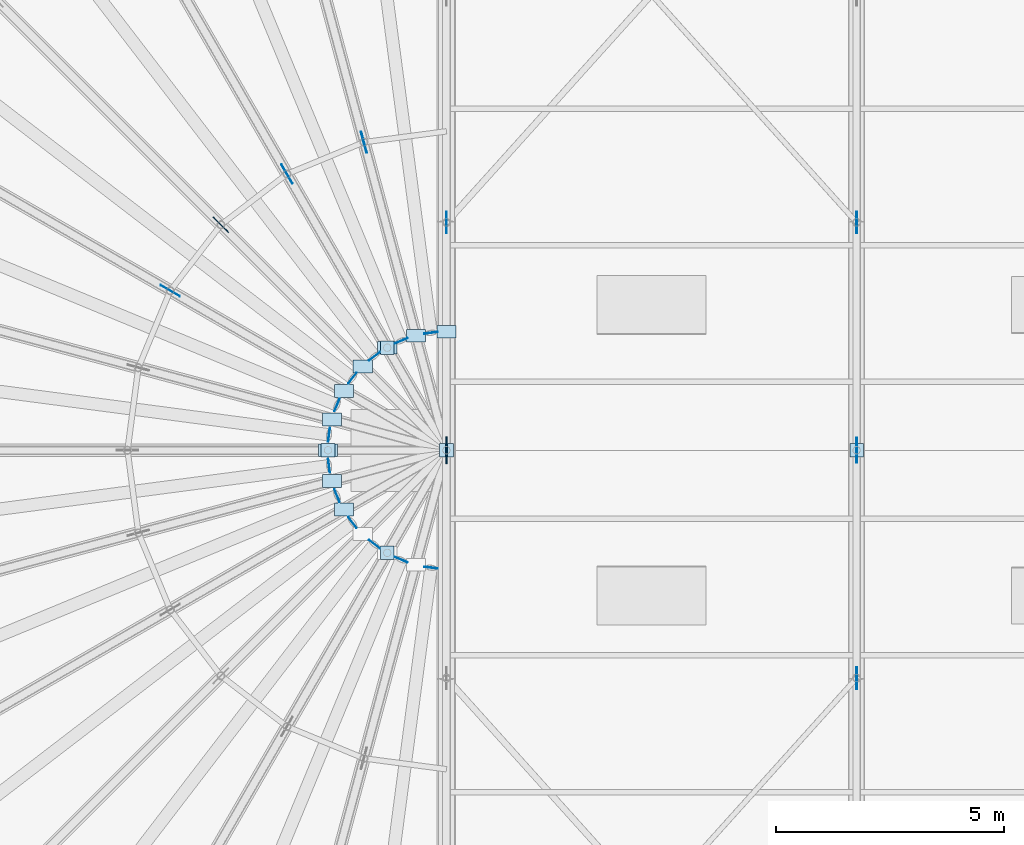
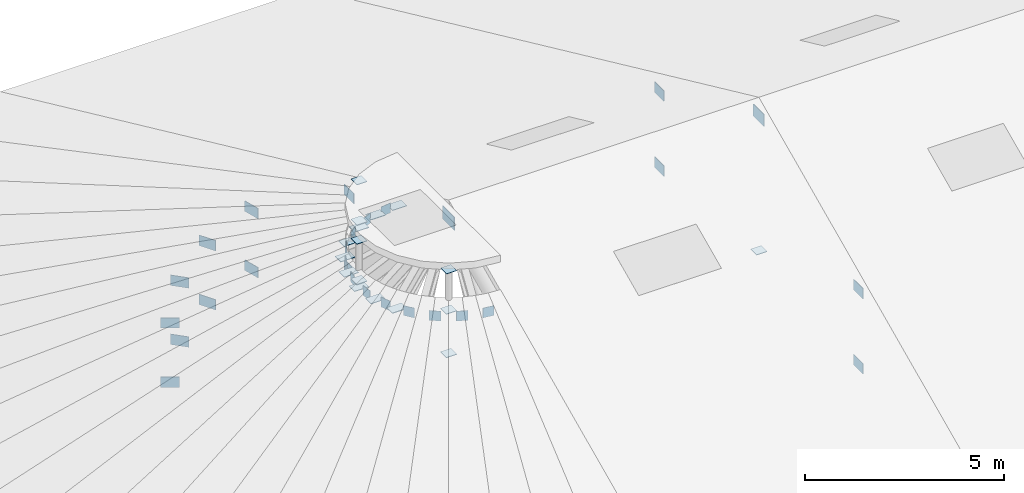
# One storey, part 88 of 107: 45 plates.
"""IFC4 building model written with IfcOpenShell, lengths in metres."""

from ifc_helpers import new_model, si_unit, derived_unit, direction, frame, origin, origin_2d, place, context, subcontext, project, spatial, rectangle, extrude, material, layer, layer_set, type_object, element, save


model = new_model("IFC4")

# Units and contexts
model_context = context("Model", 3, precision=1e-05, world=origin(), true_north=direction((0.0, 1.0)))
body_context = subcontext(model_context, "Body", "Model", "MODEL_VIEW")
ifc_project = project(units=[si_unit("LENGTHUNIT", "METRE"), si_unit("AREAUNIT", "SQUARE_METRE"), si_unit("VOLUMEUNIT", "CUBIC_METRE"), si_unit("PLANEANGLEUNIT", "RADIAN"), si_unit("MASSUNIT", "GRAM", prefix="KILO"), si_unit("THERMODYNAMICTEMPERATUREUNIT", "KELVIN"), si_unit("TIMEUNIT", "SECOND"), derived_unit("THERMALTRANSMITTANCEUNIT", [(si_unit("MASSUNIT", "GRAM", prefix="KILO"), 1), (si_unit("THERMODYNAMICTEMPERATUREUNIT", "KELVIN"), -1), (si_unit("TIMEUNIT", "SECOND"), -3)])], contexts=[model_context])

# Site, building, storey
site_placement = place(None, origin())
site = spatial("IfcSite", under=ifc_project, at=site_placement, CompositionType="ELEMENT")
building_placement = place(site_placement, origin())
building = spatial("IfcBuilding", under=site, at=building_placement, Name="Cambertide Market Hall", CompositionType="ELEMENT")
storey_placement = place(building_placement, frame((0.0, 0.0, 18.300048828125)))
storey = spatial("IfcBuildingStorey", under=building, at=storey_placement, Name="RF", CompositionType="ELEMENT", Elevation=18.300048828125)

# Plates
ifc_material_1 = material(Name="Steel S355", Category="steel")
ifc_layer_1 = layer(ifc_material_1, 0.013916015625, Name="Steel End Cap Plate EC-02")
ifc_layer_set_1 = layer_set([ifc_layer_1], Name="Steel S355")
plate_type_1 = type_object("IfcPlateType", Name="Steel End Cap Plate EC-02", PredefinedType="USERDEFINED", material=ifc_layer_set_1)
for number, where, z_axis, x_axis, name in (
    (1, (41.66064453125, 74.57763671875, -1.6962890625), (0.0, 0.0, 1.0), (-0.13052619222, 0.991444861374, 0.0), "Crown Rafter End Cap Plate W-01"),
    (2, (41.005126953125, 74.402099609375, -1.6962890625), (0.0, 0.0, 1.0), (-0.382683432365, 0.923879532511, 0.0), "Crown Rafter End Cap Plate W-03"),
    (3, (40.417236328125, 74.062744140625, -1.6962890625), (0.0, 0.0, 1.0), (-0.608761429009, 0.793353340291, 0.0), "Crown Rafter End Cap Plate W-05"),
    (4, (39.937255859375, 73.582763671875, -1.6962890625), (0.0, 0.0, 1.0), (-0.793353340291, 0.608761429009, 0.0), "Crown Rafter End Cap Plate W-07"),
    (5, (39.597900390625, 72.994873046875, -1.6962890625), (0.0, 0.0, 1.0), (-0.923879532511, 0.382683432365, 0.0), "Crown Rafter End Cap Plate W-09"),
    (6, (39.42236328125, 72.33935546875, -1.6962890625), (0.0, 0.0, 1.0), (-0.991444861374, 0.13052619222, 0.0), "Crown Rafter End Cap Plate W-11"),
    (7, (39.42236328125, 71.66064453125, -1.6962890625), (0.0, 0.0, 1.0), (-0.991444861374, -0.13052619222, 0.0), "Crown Rafter End Cap Plate W-13"),
    (8, (39.597900390625, 71.005126953125, -1.6962890625), (0.0, 0.0, 1.0), (-0.923879532511, -0.382683432365, 0.0), "Crown Rafter End Cap Plate W-15"),
    (9, (39.937255859375, 70.417236328125, -1.6962890625), (0.0, 0.0, 1.0), (-0.793353340291, -0.608761429009, 0.0), "Crown Rafter End Cap Plate W-17"),
    (10, (40.417236328125, 69.937255859375, -1.6962890625), (0.0, 0.0, 1.0), (-0.608761429009, -0.793353340291, 0.0), "Crown Rafter End Cap Plate W-19"),
    (11, (41.005126953125, 69.597900390625, -1.6962890625), (0.0, 0.0, 1.0), (-0.382683432365, -0.923879532511, 0.0), "Crown Rafter End Cap Plate W-21"),
    (12, (41.66064453125, 69.42236328125, -1.6962890625), (0.0, 0.0, 1.0), (-0.13052619222, -0.991444861374, 0.0), "Crown Rafter End Cap Plate W-23"),
):
    element("IfcPlate", number, at=place(storey_placement, frame(where, z_axis=z_axis, x_axis=x_axis)), inside=storey, type_object=plate_type_1, Name=name, ObjectType="END CAP PLATE", PredefinedType="USERDEFINED", context=body_context, shape_type="SweptSolid", body=[
        extrude(rectangle(XDim=0.013916015625, YDim=0.300048828125, at=origin_2d()), origin(), (0.0, 0.0, 1.0), 0.300048828125),
    ])
for number, where, z_axis, x_axis, name in (
    (13, (42.0, 72.0, -4.5068359375), (0.0, 0.0, 1.0), (1.0, 0.0, 0.0), "High-Bay Brace Connection End Cap Plate EC-BRN-010"),
    (14, (51.0, 72.0, -4.5068359375), (0.0, 0.0, 1.0), (1.0, 0.0, 0.0), "High-Bay Brace Connection End Cap Plate EC-BRN-021"),
    (15, (40.699951171875, 74.251708984375, -1.35302734375), (0.0, 0.0, 1.0), (1.0, 0.0, 0.0), "High-Bay Brace Connection End Cap Plate EC-BRN-155"),
    (16, (40.699951171875, 74.251708984375, -0.1171875), (0.0, 0.0, 1.0), (1.0, 0.0, 0.0), "High-Bay Brace Connection End Cap Plate EC-BRN-156"),
    (17, (39.39990234375, 72.0, -1.35302734375), (0.0, 0.0, 1.0), (1.0, 0.0, 0.0), "High-Bay Brace Connection End Cap Plate EC-BRN-157"),
    (18, (39.39990234375, 72.0, -0.1171875), (0.0, 0.0, 1.0), (1.0, 0.0, 0.0), "High-Bay Brace Connection End Cap Plate EC-BRN-158"),
    (19, (40.699951171875, 69.748291015625, -1.35302734375), (0.0, 0.0, 1.0), (1.0, 0.0, 0.0), "High-Bay Brace Connection End Cap Plate EC-BRN-159"),
    (20, (40.699951171875, 69.748291015625, -0.1171875), (0.0, 0.0, 1.0), (1.0, 0.0, 0.0), "High-Bay Brace Connection End Cap Plate EC-BRN-160"),
):
    element("IfcPlate", number, at=place(storey_placement, frame(where, z_axis=z_axis, x_axis=x_axis)), inside=storey, type_object=plate_type_1, Name=name, ObjectType="END CAP PLATE", PredefinedType="USERDEFINED", context=body_context, shape_type="SweptSolid", body=[
        extrude(rectangle(XDim=0.300048828125, YDim=0.300048828125, at=origin_2d()), origin(), (0.0, 0.0, 1.0), 0.013916015625),
    ])
ifc_material_2 = material(Name="Steel S355", Category="steel")
ifc_layer_2 = layer(ifc_material_2, 0.02001953125, Name="Steel Gusset Plate GP-01")
ifc_layer_set_2 = layer_set([ifc_layer_2], Name="Steel S355")
plate_type_2 = type_object("IfcPlateType", Name="Steel Gusset Plate GP-01", PredefinedType="USERDEFINED", material=ifc_layer_set_2)
plate_1_placement = place(storey_placement, frame((51.0, 72.0, -0.5302734375), z_axis=(0.0, 0.0, 1.0), x_axis=(1.0, 0.0, 0.0)))
element("IfcPlate", 21, at=plate_1_placement, inside=storey, type_object=plate_type_2, Name="Arch Truss 2 Node Gusset Plate 4", ObjectType="GUSSET PLATE", PredefinedType="USERDEFINED", context=body_context, shape_type="SweptSolid", body=[
    extrude(rectangle(XDim=0.02001953125, YDim=0.5400390625, at=origin_2d()), origin(), (0.0, 0.0, 1.0), 0.360107421875),
])
ifc_material_3 = material(Name="Steel S355", Category="steel")
ifc_layer_3 = layer(ifc_material_3, 0.01806640625, Name="Steel Gusset Plate GP-02")
ifc_layer_set_3 = layer_set([ifc_layer_3], Name="Steel S355")
plate_type_3 = type_object("IfcPlateType", Name="Steel Gusset Plate GP-02", PredefinedType="USERDEFINED", material=ifc_layer_set_3)
for number, where, z_axis, x_axis, name in (
    (22, (42.0, 77.0, -2.81005859375), (0.0, 0.0, 1.0), (1.0, 0.0, 0.0), "Arch Truss 1 Node Gusset Plate 5"),
    (23, (51.0, 67.0, -2.81005859375), (0.0, 0.0, 1.0), (1.0, 0.0, 0.0), "Arch Truss 2 Node Gusset Plate 3"),
    (24, (51.0, 77.0, -2.81005859375), (0.0, 0.0, 1.0), (1.0, 0.0, 0.0), "Arch Truss 2 Node Gusset Plate 5"),
):
    element("IfcPlate", number, at=place(storey_placement, frame(where, z_axis=z_axis, x_axis=x_axis)), inside=storey, type_object=plate_type_3, Name=name, ObjectType="GUSSET PLATE", PredefinedType="USERDEFINED", context=body_context, shape_type="SweptSolid", body=[
        extrude(rectangle(XDim=0.01806640625, YDim=0.47998046875, at=origin_2d()), origin(), (0.0, 0.0, 1.0), 0.320068359375),
    ])
for number, where, z_axis, x_axis, name in (
    (25, (42.0, 77.0, -5.115234375), (0.0, 0.0, 1.0), (0.0, 1.0, 0.0), "High-Bay Brace Connection Gusset Plate GP-BRN-005"),
    (26, (51.0, 67.0, -5.115234375), (0.0, 0.0, 1.0), (0.0, 1.0, 0.0), "High-Bay Brace Connection Gusset Plate GP-BRN-015"),
    (27, (51.0, 77.0, -5.115234375), (0.0, 0.0, 1.0), (0.0, 1.0, 0.0), "High-Bay Brace Connection Gusset Plate GP-BRN-016"),
    (28, (40.188232421875, 78.761474609375, -5.54150390625), (0.0, 0.0, 1.0), (0.258819045103, -0.965925826289, 0.0), "High-Bay Brace Connection Gusset Plate GP-BRN-089"),
    (29, (40.188232421875, 78.761474609375, -3.72998046875), (0.0, 0.0, 1.0), (0.258819045103, -0.965925826289, 0.0), "High-Bay Brace Connection Gusset Plate GP-BRN-091"),
    (30, (38.5, 78.062255859375, -5.54150390625), (0.0, 0.0, 1.0), (0.5, -0.866025403784, 0.0), "High-Bay Brace Connection Gusset Plate GP-BRN-095"),
    (31, (38.5, 78.062255859375, -3.72998046875), (0.0, 0.0, 1.0), (0.5, -0.866025403784, 0.0), "High-Bay Brace Connection Gusset Plate GP-BRN-097"),
    (32, (37.05029296875, 76.94970703125, -5.54150390625), (0.0, 0.0, 1.0), (0.707106781187, -0.707106781187, 0.0), "High-Bay Brace Connection Gusset Plate GP-BRN-101"),
    (33, (37.05029296875, 76.94970703125, -3.72998046875), (0.0, 0.0, 1.0), (0.707106781187, -0.707106781187, 0.0), "High-Bay Brace Connection Gusset Plate GP-BRN-103"),
    (34, (35.937744140625, 75.5, -5.54150390625), (0.0, 0.0, 1.0), (0.866025403784, -0.5, 0.0), "High-Bay Brace Connection Gusset Plate GP-BRN-107"),
    (35, (35.937744140625, 75.5, -3.72998046875), (0.0, 0.0, 1.0), (0.866025403784, -0.5, 0.0), "High-Bay Brace Connection Gusset Plate GP-BRN-109"),
):
    element("IfcPlate", number, at=place(storey_placement, frame(where, z_axis=z_axis, x_axis=x_axis)), inside=storey, type_object=plate_type_3, Name=name, ObjectType="GUSSET PLATE", PredefinedType="USERDEFINED", context=body_context, shape_type="SweptSolid", body=[
        extrude(rectangle(XDim=0.47998046875, YDim=0.01806640625, at=origin_2d()), origin(), (0.0, 0.0, 1.0), 0.320068359375),
    ])
ifc_material_4 = material(Name="Steel S355", Category="steel")
ifc_layer_4 = layer(ifc_material_4, 0.01611328125, Name="Steel Gusset Plate GP-03")
ifc_layer_set_4 = layer_set([ifc_layer_4], Name="Steel S355")
plate_type_4 = type_object("IfcPlateType", Name="Steel Gusset Plate GP-03", PredefinedType="USERDEFINED", material=ifc_layer_set_4)
for number, where, z_axis, x_axis, name in (
    (36, (42.0, 74.60009765625, -1.55419921875), (0.0, 0.0, 1.0), (1.0, 0.0, 0.0), "Crown Ring Gusset Plate W-1"),
    (37, (41.3271484375, 74.511474609375, -1.55419921875), (0.0, 0.0, 1.0), (1.0, 0.0, 0.0), "Crown Ring Gusset Plate W-2"),
    (38, (40.699951171875, 74.251708984375, -1.55419921875), (0.0, 0.0, 1.0), (1.0, 0.0, 0.0), "Crown Ring Gusset Plate W-3"),
    (39, (40.16162109375, 73.83837890625, -1.55419921875), (0.0, 0.0, 1.0), (1.0, 0.0, 0.0), "Crown Ring Gusset Plate W-4"),
    (40, (39.748291015625, 73.300048828125, -1.55419921875), (0.0, 0.0, 1.0), (1.0, 0.0, 0.0), "Crown Ring Gusset Plate W-5"),
    (41, (39.488525390625, 72.6728515625, -1.55419921875), (0.0, 0.0, 1.0), (1.0, 0.0, 0.0), "Crown Ring Gusset Plate W-6"),
    (42, (39.39990234375, 72.0, -1.55419921875), (0.0, 0.0, 1.0), (1.0, 0.0, 0.0), "Crown Ring Gusset Plate W-7"),
    (43, (39.488525390625, 71.3271484375, -1.55419921875), (0.0, 0.0, 1.0), (1.0, 0.0, 0.0), "Crown Ring Gusset Plate W-8"),
    (44, (39.748291015625, 70.699951171875, -1.55419921875), (0.0, 0.0, 1.0), (1.0, 0.0, 0.0), "Crown Ring Gusset Plate W-9"),
):
    element("IfcPlate", number, at=place(storey_placement, frame(where, z_axis=z_axis, x_axis=x_axis)), inside=storey, type_object=plate_type_4, Name=name, ObjectType="GUSSET PLATE", PredefinedType="USERDEFINED", context=body_context, shape_type="SweptSolid", body=[
        extrude(rectangle(XDim=0.419921875, YDim=0.280029296875, at=origin_2d()), origin(), (0.0, 0.0, 1.0), 0.01611328125),
    ])
ifc_material_5 = material(Name="Steel S355", Category="steel")
ifc_layer_5 = layer(ifc_material_5, 0.02490234375, Name="Steel Gusset Plate GP-04")
ifc_layer_set_5 = layer_set([ifc_layer_5], Name="Steel S355")
plate_type_5 = type_object("IfcPlateType", Name="Steel Gusset Plate GP-04", PredefinedType="USERDEFINED", material=ifc_layer_set_5)
plate_2_placement = place(storey_placement, frame((42.0, 72.0, -0.550048828125), z_axis=(0.0, 0.0, 1.0), x_axis=(1.0, 0.0, 0.0)))
element("IfcPlate", 45, at=plate_2_placement, inside=storey, type_object=plate_type_5, Name="Arch Truss 1 Node Gusset Plate 4", ObjectType="GUSSET PLATE", PredefinedType="USERDEFINED", context=body_context, shape_type="SweptSolid", body=[
    extrude(rectangle(XDim=0.02490234375, YDim=0.60009765625, at=origin_2d()), origin(), (0.0, 0.0, 1.0), 0.39990234375),
])

save(model, "model.ifc")
